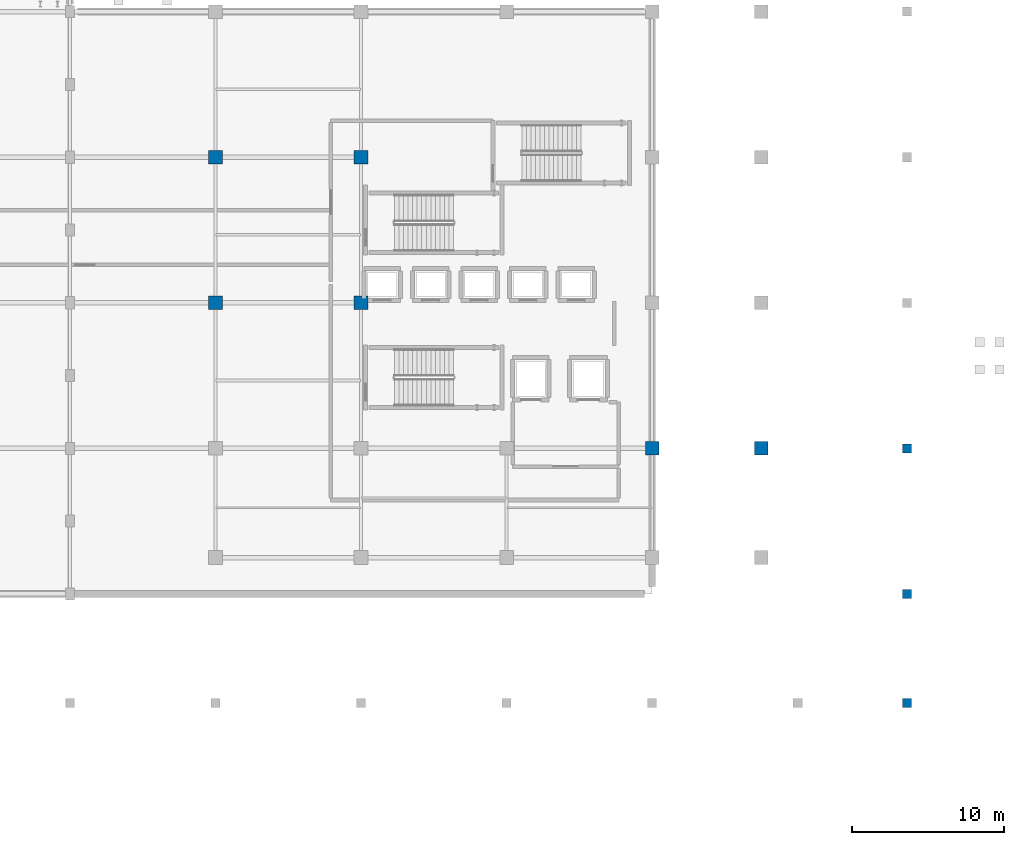
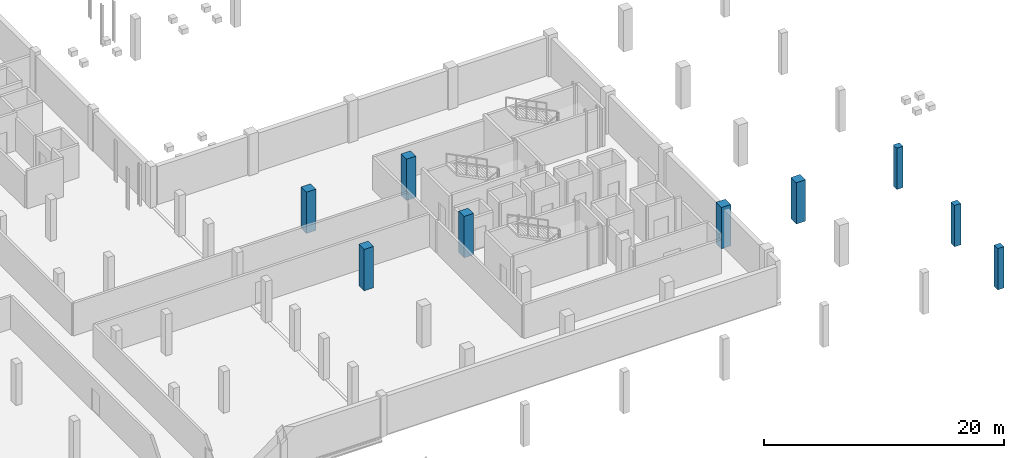
# One storey, part 18 of 47: 9 columns.
"""IFC4 building model written with IfcOpenShell, lengths in metres."""

import ifcopenshell
import ifcopenshell.guid

model = None  # the IFC model being written
_history = None  # IfcOwnerHistory: only IFC2X3 demands one
_inside = {}  # id of a spatial element -> (the spatial element, [elements in it])
_under = {}  # id of a project, library or spatial element -> (it, [spatial elements below it])
_declared = {}  # id of a project -> (the project, [libraries it declares])
_typed = {}  # id of a type object -> (the type object, [elements of that type])
_made_of = {}  # id of a material, layer set ... -> (it, [elements and type objects made of it])


def new_model(schema):
    """Start an empty IFC model of exactly this schema.

    Asked for "IFC4X3", IfcOpenShell would pick the latest addendum, in which some entities
    have other attributes; the version numbers below select the first issue.
    IFC2X3 requires an IfcOwnerHistory on every rooted entity: one is made here for all.
    """
    global model, _history
    if schema == "IFC4X3":
        model = ifcopenshell.file(schema_version=(4, 3, 0, 0))
    else:
        model = ifcopenshell.file(schema=schema)
    _inside.clear()
    _under.clear()
    _declared.clear()
    _typed.clear()
    _made_of.clear()
    _history = None
    if model.schema == "IFC2X3":
        org = make("IfcOrganization", Name="unknown")
        user = make(
            "IfcPersonAndOrganization",
            ThePerson=make("IfcPerson", FamilyName="unknown"),
            TheOrganization=org,
        )
        app = make(
            "IfcApplication",
            ApplicationDeveloper=org,
            Version="unknown",
            ApplicationFullName="unknown",
            ApplicationIdentifier="unknown",
        )
        _history = make(
            "IfcOwnerHistory",
            OwningUser=user,
            OwningApplication=app,
            ChangeAction="ADDED",
            CreationDate=0,
        )
    return model


def make(cls, **values):
    """One entity of the class cls with the attributes given. An attribute that is None is left unset."""
    return model.create_entity(
        cls, **{name: value for name, value in values.items() if value is not None}
    )


def rooted(cls, **values):
    """An entity with a GlobalId (a new one), such as an element, a storey or a relation."""
    return make(cls, GlobalId=ifcopenshell.guid.new(), OwnerHistory=_history, **values)


def si_unit(unit_type, name, prefix=None):
    """IfcSIUnit, for example si_unit("LENGTHUNIT", "METRE", prefix="MILLI")."""
    return make("IfcSIUnit", UnitType=unit_type, Prefix=prefix, Name=name)


def assignment(units):
    """IfcUnitAssignment: the units of a project."""
    return None if units is None else make("IfcUnitAssignment", Units=units)


def point(xyz):
    """IfcCartesianPoint."""
    return None if xyz is None else make("IfcCartesianPoint", Coordinates=xyz)


def direction(xyz):
    """IfcDirection."""
    return None if xyz is None else make("IfcDirection", DirectionRatios=xyz)


def frame(location, z_axis=None, x_axis=None):
    """IfcAxis2Placement3D, a coordinate frame: its origin and axes. An axis left out is left unset."""
    return make(
        "IfcAxis2Placement3D",
        Location=point(location),
        Axis=direction(z_axis),
        RefDirection=direction(x_axis),
    )


def frame_2d(location, x_axis=None):
    """IfcAxis2Placement2D, a coordinate frame in the plane: its origin and x axis."""
    return make(
        "IfcAxis2Placement2D", Location=point(location), RefDirection=direction(x_axis)
    )


def origin():
    """The frame at (0, 0, 0) with its axes left unset."""
    return frame((0.0, 0.0, 0.0))


def origin_2d():
    """The frame at (0, 0) in the plane with its x axis left unset."""
    return frame_2d((0.0, 0.0))


def place(relative_to, where):
    """IfcLocalPlacement: puts the frame where relative to a parent placement (None: the world)."""
    return make(
        "IfcLocalPlacement", PlacementRelTo=relative_to, RelativePlacement=where
    )


def context(
    kind, dimensions, precision=None, world=None, true_north=None, identifier=None
):
    """IfcGeometricRepresentationContext, for example the 3D "Model" context."""
    return make(
        "IfcGeometricRepresentationContext",
        ContextIdentifier=identifier,
        ContextType=kind,
        CoordinateSpaceDimension=dimensions,
        Precision=precision,
        WorldCoordinateSystem=world,
        TrueNorth=true_north,
    )


def subcontext(parent, identifier, kind, view, scale=None):
    """IfcGeometricRepresentationSubContext, for example "Body" below "Model"."""
    return make(
        "IfcGeometricRepresentationSubContext",
        ContextIdentifier=identifier,
        ContextType=kind,
        ParentContext=parent,
        TargetScale=scale,
        TargetView=view,
    )


def project(units=None, contexts=None):
    """IfcProject with its units and contexts."""
    return rooted(
        "IfcProject",
        Name="project",
        RepresentationContexts=contexts,
        UnitsInContext=assignment(units),
    )


def spatial(cls, under=None, at=None, **own):
    """A site, building, storey or space (cls), placed at a placement, below another one or the project."""
    s = rooted(cls, ObjectPlacement=at, **own)
    if under is not None:
        _under.setdefault(under.id(), (under, []))[1].append(s)
    return s


def profile(cls, at=None, kind="AREA", **sizes):
    """A parametric profile (cls). Its sizes go by their IFC names, for example OverallWidth=200.0."""
    return make(cls, ProfileType=kind, Position=at, **sizes)


def rectangle(**sizes):
    """IfcRectangleProfileDef."""
    return profile("IfcRectangleProfileDef", **sizes)


def extrude(swept, where, along, depth):
    """IfcExtrudedAreaSolid: the profile swept, set in the frame where, extruded along a direction by depth."""
    return make(
        "IfcExtrudedAreaSolid",
        SweptArea=swept,
        Position=where,
        ExtrudedDirection=direction(along),
        Depth=depth,
    )


def shape(context_of_items, identifier, shape_type, items):
    """IfcShapeRepresentation: the items that make up one representation, for example the "Body"."""
    return make(
        "IfcShapeRepresentation",
        ContextOfItems=context_of_items,
        RepresentationIdentifier=identifier,
        RepresentationType=shape_type,
        Items=items,
    )


def material(Name=None, Category=None):
    """IfcMaterial."""
    return make("IfcMaterial", Name=Name, Category=Category)


def material_profile(
    of_material, cross_section, Name=None, Category=None, Priority=None
):
    """IfcMaterialProfile: a cross section and its material."""
    return make(
        "IfcMaterialProfile",
        Name=Name,
        Material=of_material,
        Profile=cross_section,
        Priority=Priority,
        Category=Category,
    )


def profile_set(profiles, Name=None, composite=None):
    """IfcMaterialProfileSet."""
    return make(
        "IfcMaterialProfileSet",
        Name=Name,
        MaterialProfiles=profiles,
        CompositeProfile=composite,
    )


def made_of(thing, what):
    """Note that an element or type object is made of a material, layer set ...; save() writes the relation."""
    if what is not None:
        _made_of.setdefault(what.id(), (what, []))[1].append(thing)
    return thing


def type_object(cls, material=None, **own):
    """A type object (cls), such as IfcWallType, which elements share."""
    return made_of(rooted(cls, **own), material)


def element(
    cls,
    number,
    at=None,
    inside=None,
    cuts=None,
    type_object=None,
    material=None,
    context=None,
    identifier="Body",
    shape_type=None,
    held_by="IfcProductDefinitionShape",
    body=None,
    shapes=None,
    **own,
):
    """One element of the class cls, such as IfcWall. Its Tag is "e" and its number.

    at: its placement. inside: the storey or other place that contains it. cuts: it is an
    opening in that element (IfcRelVoidsElement). A single representation is given by context,
    identifier, shape_type and body (its items); several are given by shapes. held_by: the class
    of the entity that holds the representations. save() writes the other relations.
    """
    e = rooted(cls, Tag="e%d" % number, ObjectPlacement=at, **own)
    if body is not None:
        shapes = [shape(context, identifier, shape_type, body)]
    if shapes is not None:
        e.Representation = make(held_by, Representations=shapes)
    if inside is not None:
        _inside.setdefault(inside.id(), (inside, []))[1].append(e)
    if cuts is not None:
        rooted(
            "IfcRelVoidsElement", RelatingBuildingElement=cuts, RelatedOpeningElement=e
        )
    if type_object is not None:
        _typed.setdefault(type_object.id(), (type_object, []))[1].append(e)
    return made_of(e, material)


def aggregate(whole, parts):
    """IfcRelAggregates: a whole, such as a stair, and the parts it consists of."""
    return rooted("IfcRelAggregates", RelatingObject=whole, RelatedObjects=parts)


def save(model, path):
    """Write the relations noted so far, then the file.

    IfcRelAggregates (storeys below a building ...), IfcRelContainedInSpatialStructure (elements
    in a storey), IfcRelDefinesByType, IfcRelAssociatesMaterial and IfcRelDeclares: one each for
    every whole, place, type object, material and project.
    """
    for whole, parts in _under.values():
        aggregate(whole, parts)
    for where, things in _inside.values():
        rooted(
            "IfcRelContainedInSpatialStructure",
            RelatedElements=things,
            RelatingStructure=where,
        )
    for kind, things in _typed.values():
        rooted("IfcRelDefinesByType", RelatedObjects=things, RelatingType=kind)
    for what, things in _made_of.values():
        rooted("IfcRelAssociatesMaterial", RelatedObjects=things, RelatingMaterial=what)
    for by, libraries in _declared.values():
        rooted("IfcRelDeclares", RelatingContext=by, RelatedDefinitions=libraries)
    model.write(path)


model = new_model("IFC4")

# Units and contexts
model_context = context("Model", 3, precision=1e-05, world=origin(), true_north=direction((0.0, 1.0)))
body_context = subcontext(model_context, "Body", "Model", "MODEL_VIEW")
ifc_project = project(units=[si_unit("LENGTHUNIT", "METRE"), si_unit("AREAUNIT", "SQUARE_METRE"), si_unit("VOLUMEUNIT", "CUBIC_METRE"), si_unit("PLANEANGLEUNIT", "RADIAN"), si_unit("MASSUNIT", "GRAM", prefix="KILO")], contexts=[model_context])

# Site, building, storey
site_placement = place(None, origin())
site = spatial("IfcSite", under=ifc_project, at=site_placement, CompositionType="ELEMENT")
building_placement = place(site_placement, origin())
building = spatial("IfcBuilding", under=site, at=building_placement, Name="Zevrakil Square Congress Hotel", CompositionType="ELEMENT")
storey_placement = place(building_placement, frame((0.0, 0.0, -4.199951171875)))
storey = spatial("IfcBuildingStorey", under=building, at=storey_placement, Name="B1", CompositionType="ELEMENT", Elevation=-4.199951171875)

# Columns
ifc_material_1 = material(Name="Concrete C40/50", Category="concrete")
ifc_material_profile_1 = material_profile(ifc_material_1, rectangle(XDim=0.60009765625, YDim=0.60009765625, at=origin_2d()), Name="RC 600x600")
ifc_profile_set_1 = profile_set([ifc_material_profile_1], Name="Concrete C40/50")
column_type_1 = type_object("IfcColumnType", Name="COL-RC600", PredefinedType="COLUMN", material=ifc_profile_set_1)
for number, where, z_axis, x_axis, name in (
    (1, (172.800048828125, 0.0, 0.0), (0.0, 0.0, 1.0), (1.0, 0.0, 0.0), "B1 column C-242"),
    (2, (172.800048828125, 7.199951171875, 0.0), (0.0, 0.0, 1.0), (1.0, 0.0, 0.0), "B1 column C-243"),
    (3, (172.800048828125, 16.800048828125, 0.0), (0.0, 0.0, 1.0), (1.0, 0.0, 0.0), "B1 column C-244"),
):
    element("IfcColumn", number, at=place(storey_placement, frame(where, z_axis=z_axis, x_axis=x_axis)), inside=storey, type_object=column_type_1, Name=name, PredefinedType="COLUMN", context=body_context, shape_type="SweptSolid", body=[
        extrude(rectangle(XDim=0.60009765625, YDim=0.60009765625, at=origin_2d()), origin(), (0.0, 0.0, 1.0), 4.199951171875),
    ])
ifc_material_2 = material(Name="Concrete C40/50", Category="concrete")
ifc_material_profile_2 = material_profile(ifc_material_2, rectangle(XDim=0.89990234375, YDim=0.89990234375, at=origin_2d()), Name="RC 900x900")
ifc_profile_set_2 = profile_set([ifc_material_profile_2], Name="Concrete C40/50")
column_type_2 = type_object("IfcColumnType", Name="COL-RC900", PredefinedType="COLUMN", material=ifc_profile_set_2)
for number, where, z_axis, x_axis, name in (
    (4, (127.199951171875, 26.39990234375, 0.0), (0.0, 0.0, 1.0), (1.0, 0.0, 0.0), "B1 column C-198"),
    (5, (127.199951171875, 36.0, 0.0), (0.0, 0.0, 1.0), (1.0, 0.0, 0.0), "B1 column C-199"),
    (6, (136.800048828125, 26.39990234375, 0.0), (0.0, 0.0, 1.0), (1.0, 0.0, 0.0), "B1 column C-207"),
    (7, (136.800048828125, 36.0, 0.0), (0.0, 0.0, 1.0), (1.0, 0.0, 0.0), "B1 column C-208"),
    (8, (156.0, 16.800048828125, 0.0), (0.0, 0.0, 1.0), (1.0, 0.0, 0.0), "B1 column C-222"),
    (9, (163.199951171875, 16.800048828125, 0.0), (0.0, 0.0, 1.0), (1.0, 0.0, 0.0), "B1 column C-230"),
):
    element("IfcColumn", number, at=place(storey_placement, frame(where, z_axis=z_axis, x_axis=x_axis)), inside=storey, type_object=column_type_2, Name=name, PredefinedType="COLUMN", context=body_context, shape_type="SweptSolid", body=[
        extrude(rectangle(XDim=0.89990234375, YDim=0.89990234375, at=origin_2d()), origin(), (0.0, 0.0, 1.0), 4.199951171875),
    ])

save(model, "model.ifc")
